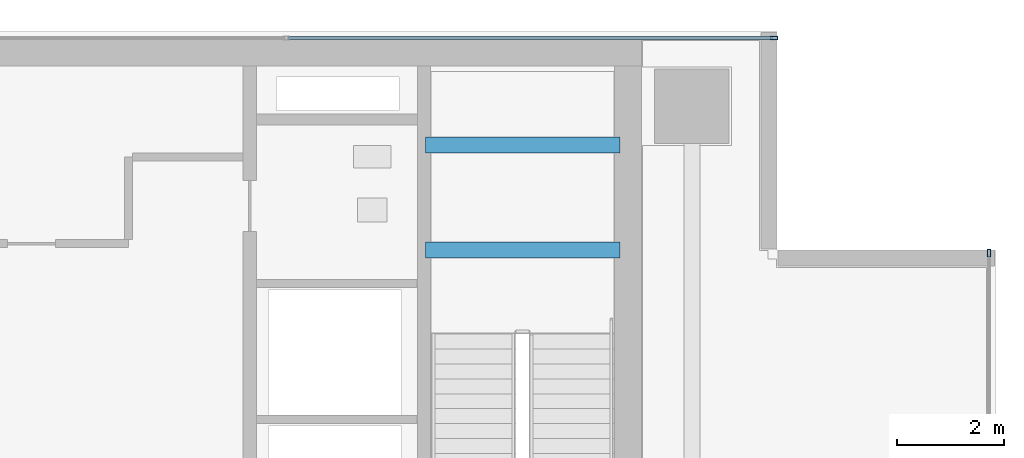
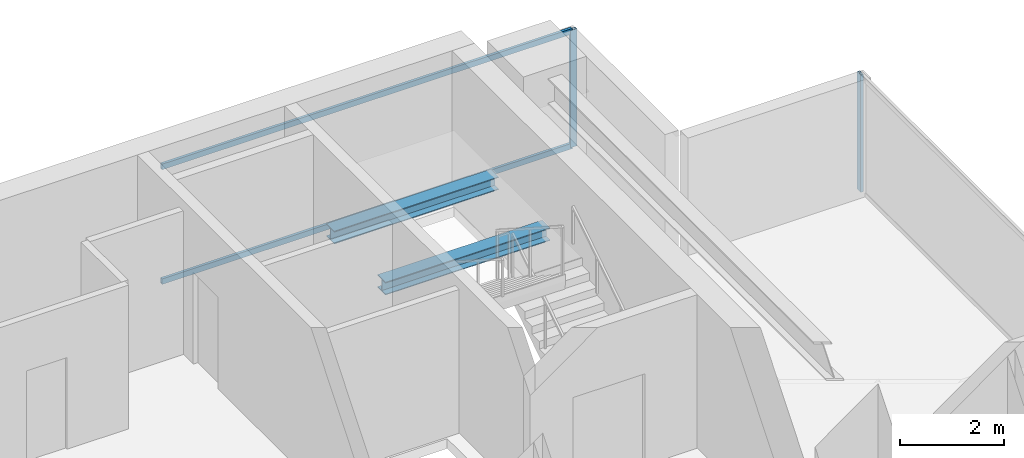
# One storey, part 18 of 26: 4 members, 2 beams, 2 elements without a shape of their own.
"""IFC4 building model written with IfcOpenShell, lengths in metres."""

from ifc_helpers import new_model, si_unit, direction, frame, origin, origin_2d, place, context, subcontext, project, spatial, hollow_rectangle, i_section, extrude, source, transform, mapped, material, layer, layer_set, material_profile, profile_set, type_object, element, aggregate, save


model = new_model("IFC4")

# Units and contexts
model_context = context("Model", 3, precision=1e-05, world=origin(), true_north=direction((0.0, 1.0)))
body_context = subcontext(model_context, "Body", "Model", "MODEL_VIEW")
ifc_project = project(units=[si_unit("LENGTHUNIT", "METRE"), si_unit("AREAUNIT", "SQUARE_METRE"), si_unit("VOLUMEUNIT", "CUBIC_METRE"), si_unit("PLANEANGLEUNIT", "RADIAN"), si_unit("MASSUNIT", "GRAM", prefix="KILO")], contexts=[model_context])

# Site, building, storey
site_placement = place(None, origin())
site = spatial("IfcSite", under=ifc_project, at=site_placement, CompositionType="ELEMENT")
building_placement = place(site_placement, origin())
building = spatial("IfcBuilding", under=site, at=building_placement, Name="Sumidabori Civic Tower", CompositionType="ELEMENT")
storey_placement = place(building_placement, frame((0.0, 0.0, 261.199951171875)))
storey = spatial("IfcBuildingStorey", under=building, at=storey_placement, Name="L68", CompositionType="ELEMENT", Elevation=261.199951171875)

# Beams
ifc_material_1 = material(Name="Steel SN490", Category="steel")
ifc_material_profile_1 = material_profile(ifc_material_1, i_section(OverallWidth=0.300048828125, OverallDepth=0.300048828125, WebThickness=0.010986328125, FlangeThickness=0.01904296875, at=origin_2d()), Name="HE 300 B")
ifc_profile_set_1 = profile_set([ifc_material_profile_1], Name="Steel SN490")
beam_type = type_object("IfcBeamType", Name="BM-LDG-300", PredefinedType="BEAM", material=ifc_profile_set_1)
shared_shape_1 = source(origin(), body_context, "Body", "SweptSolid", [
    extrude(i_section(OverallWidth=0.300048828125, OverallDepth=0.300048828125, WebThickness=0.010986328125, FlangeThickness=0.01904296875, at=origin_2d()), origin(), (0.0, 0.0, 1.0), 3.64990234375),
])
for number, where, z_axis, x_axis, name in (
    (1, (11.800048828125, 20.09765625, 1.449951171875), (1.0, 0.0, 0.0), (0.0, 1.0, 0.0), "Stair ST-2 Landing Support Beam L68-1A"),
    (2, (11.800048828125, 22.069580078125, 1.449951171875), (1.0, 0.0, 0.0), (0.0, 1.0, 0.0), "Stair ST-2 Landing Trimmer Beam L68-1B"),
):
    element("IfcBeam", number, at=place(storey_placement, frame(where, z_axis=z_axis, x_axis=x_axis)), inside=storey, type_object=beam_type, Name=name, PredefinedType="BEAM", context=body_context, shape_type="MappedRepresentation", body=[
        mapped(shared_shape_1, transform((0.0, 0.0, 0.0), x_axis=(1.0, 0.0, 0.0), y_axis=(0.0, 1.0, 0.0), z_axis=(0.0, 0.0, 1.0), scale=1.0)),
    ])

# Curtain wall, members
ifc_material_2 = material(Name="Anodised Bronze Aluminium AW-6063-T6", Category="aluminium")
ifc_layer = layer(ifc_material_2, 0.179931640625, Name="Anodised Bronze Aluminium AW-6063-T6")
ifc_layer_set = layer_set([ifc_layer], Name="Anodised Bronze Aluminium AW-6063-T6")
curtain_wall_type = type_object("IfcCurtainWallType", Name="CW-SYS-5", PredefinedType="NOTDEFINED", material=ifc_layer_set)
curtain_wall_1_placement = place(storey_placement, origin())
curtain_wall_1 = element("IfcCurtainWall", 3, at=curtain_wall_1_placement, inside=storey, type_object=curtain_wall_type, Name="Curtain Wall CW:L68:R07", PredefinedType="NOTDEFINED")
ifc_material_profile_2 = material_profile(ifc_material_2, hollow_rectangle(XDim=0.06005859375, YDim=0.1298828125, WallThickness=0.0048828125, at=origin_2d()), Name="ALU TRANSOM 130x60")
ifc_profile_set_2 = profile_set([ifc_material_profile_2], Name="Anodised Bronze Aluminium AW-6063-T6")
member_type_1 = type_object("IfcMemberType", Name="CW-TRN-130", PredefinedType="USERDEFINED", material=ifc_profile_set_2)
shared_shape_2 = source(origin(), body_context, "Body", "SweptSolid", [
    extrude(hollow_rectangle(XDim=0.06005859375, YDim=0.1298828125, WallThickness=0.0048828125, at=origin_2d()), origin(), (0.0, 0.0, 1.0), 9.094970703125),
])
member_1_placement = place(storey_placement, frame((18.31005859375, 24.080078125, 0.030029296875), z_axis=(-1.0, 0.0, 0.0), x_axis=(0.0, -1.0, 0.0)))
member_1 = element("IfcMember", 4, at=member_1_placement, type_object=member_type_1, Name="CW-5 transom 1.1", ObjectType="TRANSOM", PredefinedType="USERDEFINED", context=body_context, shape_type="MappedRepresentation", body=[
    mapped(shared_shape_2, transform((0.0, 0.0, 0.0), x_axis=(1.0, 0.0, 0.0), y_axis=(0.0, 1.0, 0.0), z_axis=(0.0, 0.0, 1.0), scale=1.0)),
])
member_2_placement = place(storey_placement, frame((18.31005859375, 24.080078125, 2.719970703125), z_axis=(-1.0, 0.0, 0.0), x_axis=(0.0, -1.0, 0.0)))
member_2 = element("IfcMember", 5, at=member_2_placement, type_object=member_type_1, Name="CW-5 transom 1.2", ObjectType="TRANSOM", PredefinedType="USERDEFINED", context=body_context, shape_type="MappedRepresentation", body=[
    mapped(shared_shape_2, transform((0.0, 0.0, 0.0), x_axis=(1.0, 0.0, 0.0), y_axis=(0.0, 1.0, 0.0), z_axis=(0.0, 0.0, 1.0), scale=1.0)),
])

# Curtain wall, member
curtain_wall_2_placement = place(storey_placement, origin())
curtain_wall_2 = element("IfcCurtainWall", 6, at=curtain_wall_2_placement, inside=storey, type_object=curtain_wall_type, Name="Curtain Wall CW:L68:R04", PredefinedType="NOTDEFINED")
ifc_material_profile_3 = material_profile(ifc_material_2, hollow_rectangle(XDim=0.06005859375, YDim=0.139892578125, WallThickness=0.0048828125, at=origin_2d()), Name="ALU MULLION 140x60")
ifc_profile_set_3 = profile_set([ifc_material_profile_3], Name="Anodised Bronze Aluminium AW-6063-T6")
member_type_2 = type_object("IfcMemberType", Name="CW-MUL-140", PredefinedType="MULLION", material=ifc_profile_set_3)
shared_shape_3 = source(origin(), body_context, "Body", "SweptSolid", [
    extrude(hollow_rectangle(XDim=0.06005859375, YDim=0.139892578125, WallThickness=0.0048828125, at=origin_2d()), origin(), (0.0, 0.0, 1.0), 2.75),
])
member_3_placement = place(storey_placement, frame((22.3798828125, 20.0400390625, 0.0), z_axis=(0.0, 0.0, 1.0), x_axis=(-1.0, 0.0, 0.0)))
member_3 = element("IfcMember", 7, at=member_3_placement, type_object=member_type_2, Name="CW-5 mullion 4", PredefinedType="MULLION", context=body_context, shape_type="MappedRepresentation", body=[
    mapped(shared_shape_3, transform((0.0, 0.0, 0.0), x_axis=(1.0, 0.0, 0.0), y_axis=(0.0, 1.0, 0.0), z_axis=(0.0, 0.0, 1.0), scale=1.0)),
])
aggregate(curtain_wall_2, [member_3])

# Member
member_4_placement = place(storey_placement, frame((18.340087890625, 24.080078125, 0.0), z_axis=(0.0, 0.0, 1.0), x_axis=(0.0, -1.0, 0.0)))
member_4 = element("IfcMember", 8, at=member_4_placement, type_object=member_type_2, Name="CW-5 mullion 1", PredefinedType="MULLION", context=body_context, shape_type="MappedRepresentation", body=[
    mapped(shared_shape_3, transform((0.0, 0.0, 0.0), x_axis=(1.0, 0.0, 0.0), y_axis=(0.0, 1.0, 0.0), z_axis=(0.0, 0.0, 1.0), scale=1.0)),
])

aggregate(curtain_wall_1, [member_4, member_1, member_2])

save(model, "model.ifc")
